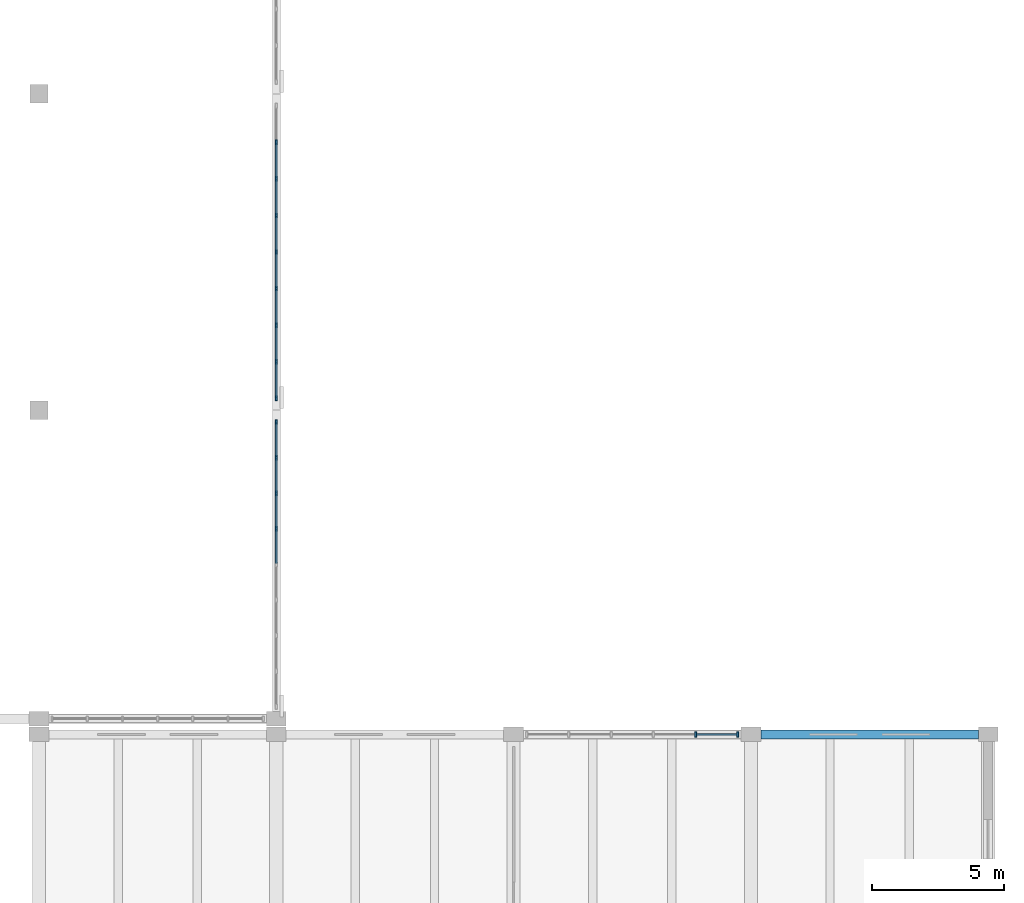
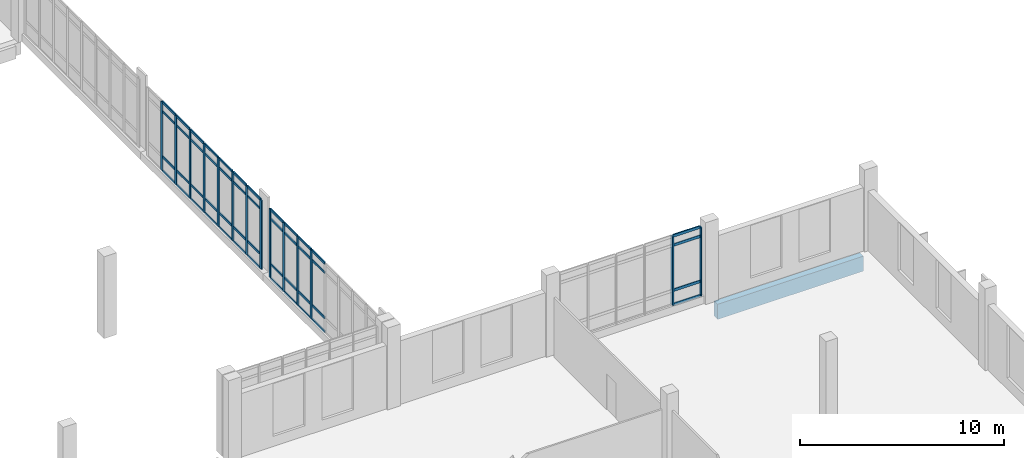
# One storey, part 47 of 110: 62 members, 1 beam, 3 elements without a shape of their own.
"""IFC4 building model written with IfcOpenShell, lengths in metres."""

from ifc_helpers import new_model, si_unit, direction, frame, origin, origin_2d, place, context, subcontext, project, spatial, rectangle, extrude, material, layer, layer_set, material_profile, profile_set, type_object, element, aggregate, save


model = new_model("IFC4")

# Units and contexts
model_context = context("Model", 3, precision=1e-05, world=origin(), true_north=direction((0.0, 1.0)))
body_context = subcontext(model_context, "Body", "Model", "MODEL_VIEW")
ifc_project = project(units=[si_unit("LENGTHUNIT", "METRE"), si_unit("AREAUNIT", "SQUARE_METRE"), si_unit("VOLUMEUNIT", "CUBIC_METRE"), si_unit("PLANEANGLEUNIT", "RADIAN"), si_unit("MASSUNIT", "GRAM", prefix="KILO")], contexts=[model_context])

# Site, building, storey
site_placement = place(None, origin())
site = spatial("IfcSite", under=ifc_project, at=site_placement, CompositionType="ELEMENT")
building_placement = place(site_placement, origin())
building = spatial("IfcBuilding", under=site, at=building_placement, Name="Zacnel Wholesale Market", CompositionType="ELEMENT")
storey_placement = place(building_placement, frame((0.0, 0.0, 6.300048828125)))
storey = spatial("IfcBuildingStorey", under=building, at=storey_placement, Name="L02", CompositionType="ELEMENT", Elevation=6.300048828125)

# Beam
ifc_material_1 = material(Name="Precast concrete C45/55", Category="concrete")
ifc_material_profile_1 = material_profile(ifc_material_1, rectangle(XDim=0.35009765625, YDim=0.89990234375, at=origin_2d()), Name="SP 350x900")
ifc_profile_set_1 = profile_set([ifc_material_profile_1], Name="Precast concrete C45/55")
beam_type = type_object("IfcBeamType", Name="BM-SP900", PredefinedType="SPANDREL", material=ifc_profile_set_1)
beam_placement = place(storey_placement, frame((207.375, 95.699951171875, -0.75), z_axis=(1.0, 0.0, 0.0), x_axis=(0.0, 1.0, 0.0)))
element("IfcBeam", 1, at=beam_placement, inside=storey, type_object=beam_type, Name="Precast girder X-0220", PredefinedType="SPANDREL", context=body_context, shape_type="SweptSolid", body=[
    extrude(rectangle(XDim=0.35009765625, YDim=0.89990234375, at=origin_2d()), origin(), (0.0, 0.0, 1.0), 8.25),
])

# Curtain wall, members
ifc_material_2 = material(Name="Anodised aluminium", Category="aluminium")
ifc_layer_1 = layer(ifc_material_2, 0.159912109375)
ifc_layer_set_1 = layer_set([ifc_layer_1], Name="Anodised aluminium")
curtain_wall_type_1 = type_object("IfcCurtainWallType", Name="CW-COURT-4500", PredefinedType="NOTDEFINED", material=ifc_layer_set_1)
curtain_wall_1_placement = place(storey_placement, origin())
curtain_wall_1 = element("IfcCurtainWall", 2, at=curtain_wall_1_placement, inside=storey, type_object=curtain_wall_type_1, Name="Curtain wall ENV-R2-CW-L02-046", PredefinedType="NOTDEFINED")
ifc_material_3 = material(Name="Anodised aluminium", Category="aluminium")
ifc_material_profile_2 = material_profile(ifc_material_3, rectangle(XDim=0.070068359375, YDim=0.199951171875, at=origin_2d()), Name="AW-MULLION 70x200")
ifc_profile_set_2 = profile_set([ifc_material_profile_2], Name="Anodised aluminium")
member_type_1 = type_object("IfcMemberType", Name="CWM-MUL-02", PredefinedType="MULLION", material=ifc_profile_set_2)
member_1_placement = place(storey_placement, frame((204.903076171875, 95.699951171875, 0.449951171875), z_axis=(0.0, 0.0, 1.0), x_axis=(1.0, 0.0, 0.0)))
member_1 = element("IfcMember", 3, at=member_1_placement, type_object=member_type_1, Name="ENV-R2-CW-L02-046 mullion 05", PredefinedType="MULLION", context=body_context, shape_type="SweptSolid", body=[
    extrude(rectangle(XDim=0.070068359375, YDim=0.199951171875, at=origin_2d()), origin(), (0.0, 0.0, 1.0), 4.10009765625),
])
member_2_placement = place(storey_placement, frame((206.5048828125, 95.699951171875, 0.449951171875), z_axis=(0.0, 0.0, 1.0), x_axis=(1.0, 0.0, 0.0)))
member_2 = element("IfcMember", 4, at=member_2_placement, type_object=member_type_1, Name="ENV-R2-CW-L02-046 mullion 06", PredefinedType="MULLION", context=body_context, shape_type="SweptSolid", body=[
    extrude(rectangle(XDim=0.070068359375, YDim=0.199951171875, at=origin_2d()), origin(), (0.0, 0.0, 1.0), 4.10009765625),
])

ifc_material_4 = material(Name="Anodised aluminium", Category="aluminium")
ifc_layer_2 = layer(ifc_material_4, 0.159912109375)
ifc_layer_set_2 = layer_set([ifc_layer_2], Name="Anodised aluminium")
curtain_wall_type_2 = type_object("IfcCurtainWallType", Name="CW-NAVE-4200", PredefinedType="NOTDEFINED", material=ifc_layer_set_2)
curtain_wall_2_placement = place(storey_placement, origin())
curtain_wall_2 = element("IfcCurtainWall", 5, at=curtain_wall_2_placement, inside=storey, type_object=curtain_wall_type_2, Name="Curtain wall ENV-R2-CW-L02-032", PredefinedType="NOTDEFINED")
ifc_material_5 = material(Name="Anodised aluminium", Category="aluminium")
ifc_material_profile_3 = material_profile(ifc_material_5, rectangle(XDim=0.06494140625, YDim=0.179931640625, at=origin_2d()), Name="AW-MULLION 65x180")
ifc_profile_set_3 = profile_set([ifc_material_profile_3], Name="Anodised aluminium")
member_type_2 = type_object("IfcMemberType", Name="CWM-MUL-03", PredefinedType="MULLION", material=ifc_profile_set_3)
member_3_placement = place(storey_placement, frame((189.0, 103.5, 0.449951171875), z_axis=(0.0, 0.0, 1.0), x_axis=(1.0, 0.0, 0.0)))
member_3 = element("IfcMember", 6, at=member_3_placement, type_object=member_type_2, Name="ENV-R2-CW-L02-032 mullion 06", PredefinedType="MULLION", context=body_context, shape_type="SweptSolid", body=[
    extrude(rectangle(XDim=0.06494140625, YDim=0.179931640625, at=origin_2d()), origin(), (0.0, 0.0, 1.0), 4.10009765625),
])
member_4_placement = place(storey_placement, frame((189.0, 104.85009765625, 0.449951171875), z_axis=(0.0, 0.0, 1.0), x_axis=(1.0, 0.0, 0.0)))
member_4 = element("IfcMember", 7, at=member_4_placement, type_object=member_type_2, Name="ENV-R2-CW-L02-032 mullion 07", PredefinedType="MULLION", context=body_context, shape_type="SweptSolid", body=[
    extrude(rectangle(XDim=0.06494140625, YDim=0.179931640625, at=origin_2d()), origin(), (0.0, 0.0, 1.0), 4.10009765625),
])
member_5_placement = place(storey_placement, frame((189.0, 106.199951171875, 0.449951171875), z_axis=(0.0, 0.0, 1.0), x_axis=(1.0, 0.0, 0.0)))
member_5 = element("IfcMember", 8, at=member_5_placement, type_object=member_type_2, Name="ENV-R2-CW-L02-032 mullion 08", PredefinedType="MULLION", context=body_context, shape_type="SweptSolid", body=[
    extrude(rectangle(XDim=0.06494140625, YDim=0.179931640625, at=origin_2d()), origin(), (0.0, 0.0, 1.0), 4.10009765625),
])
member_6_placement = place(storey_placement, frame((189.0, 107.550048828125, 0.449951171875), z_axis=(0.0, 0.0, 1.0), x_axis=(1.0, 0.0, 0.0)))
member_6 = element("IfcMember", 9, at=member_6_placement, type_object=member_type_2, Name="ENV-R2-CW-L02-032 mullion 09", PredefinedType="MULLION", context=body_context, shape_type="SweptSolid", body=[
    extrude(rectangle(XDim=0.06494140625, YDim=0.179931640625, at=origin_2d()), origin(), (0.0, 0.0, 1.0), 4.10009765625),
])

curtain_wall_3_placement = place(storey_placement, origin())
curtain_wall_3 = element("IfcCurtainWall", 10, at=curtain_wall_3_placement, inside=storey, type_object=curtain_wall_type_2, Name="Curtain wall ENV-R2-CW-L02-033", PredefinedType="NOTDEFINED")
member_7_placement = place(storey_placement, frame((189.0, 108.449951171875, 0.449951171875), z_axis=(0.0, 0.0, 1.0), x_axis=(1.0, 0.0, 0.0)))
member_7 = element("IfcMember", 11, at=member_7_placement, type_object=member_type_2, Name="ENV-R2-CW-L02-033 mullion 01", PredefinedType="MULLION", context=body_context, shape_type="SweptSolid", body=[
    extrude(rectangle(XDim=0.06494140625, YDim=0.179931640625, at=origin_2d()), origin(), (0.0, 0.0, 1.0), 4.10009765625),
])
member_8_placement = place(storey_placement, frame((189.0, 109.83740234375, 0.449951171875), z_axis=(0.0, 0.0, 1.0), x_axis=(1.0, 0.0, 0.0)))
member_8 = element("IfcMember", 12, at=member_8_placement, type_object=member_type_2, Name="ENV-R2-CW-L02-033 mullion 02", PredefinedType="MULLION", context=body_context, shape_type="SweptSolid", body=[
    extrude(rectangle(XDim=0.06494140625, YDim=0.179931640625, at=origin_2d()), origin(), (0.0, 0.0, 1.0), 4.10009765625),
])
member_9_placement = place(storey_placement, frame((189.0, 111.22509765625, 0.449951171875), z_axis=(0.0, 0.0, 1.0), x_axis=(1.0, 0.0, 0.0)))
member_9 = element("IfcMember", 13, at=member_9_placement, type_object=member_type_2, Name="ENV-R2-CW-L02-033 mullion 03", PredefinedType="MULLION", context=body_context, shape_type="SweptSolid", body=[
    extrude(rectangle(XDim=0.06494140625, YDim=0.179931640625, at=origin_2d()), origin(), (0.0, 0.0, 1.0), 4.10009765625),
])
member_10_placement = place(storey_placement, frame((189.0, 112.612548828125, 0.449951171875), z_axis=(0.0, 0.0, 1.0), x_axis=(1.0, 0.0, 0.0)))
member_10 = element("IfcMember", 14, at=member_10_placement, type_object=member_type_2, Name="ENV-R2-CW-L02-033 mullion 04", PredefinedType="MULLION", context=body_context, shape_type="SweptSolid", body=[
    extrude(rectangle(XDim=0.06494140625, YDim=0.179931640625, at=origin_2d()), origin(), (0.0, 0.0, 1.0), 4.10009765625),
])
member_11_placement = place(storey_placement, frame((189.0, 114.0, 0.449951171875), z_axis=(0.0, 0.0, 1.0), x_axis=(1.0, 0.0, 0.0)))
member_11 = element("IfcMember", 15, at=member_11_placement, type_object=member_type_2, Name="ENV-R2-CW-L02-033 mullion 05", PredefinedType="MULLION", context=body_context, shape_type="SweptSolid", body=[
    extrude(rectangle(XDim=0.06494140625, YDim=0.179931640625, at=origin_2d()), origin(), (0.0, 0.0, 1.0), 4.10009765625),
])
member_12_placement = place(storey_placement, frame((189.0, 115.387451171875, 0.449951171875), z_axis=(0.0, 0.0, 1.0), x_axis=(1.0, 0.0, 0.0)))
member_12 = element("IfcMember", 16, at=member_12_placement, type_object=member_type_2, Name="ENV-R2-CW-L02-033 mullion 06", PredefinedType="MULLION", context=body_context, shape_type="SweptSolid", body=[
    extrude(rectangle(XDim=0.06494140625, YDim=0.179931640625, at=origin_2d()), origin(), (0.0, 0.0, 1.0), 4.10009765625),
])
member_13_placement = place(storey_placement, frame((189.0, 116.77490234375, 0.449951171875), z_axis=(0.0, 0.0, 1.0), x_axis=(1.0, 0.0, 0.0)))
member_13 = element("IfcMember", 17, at=member_13_placement, type_object=member_type_2, Name="ENV-R2-CW-L02-033 mullion 07", PredefinedType="MULLION", context=body_context, shape_type="SweptSolid", body=[
    extrude(rectangle(XDim=0.06494140625, YDim=0.179931640625, at=origin_2d()), origin(), (0.0, 0.0, 1.0), 4.10009765625),
])
member_14_placement = place(storey_placement, frame((189.0, 118.16259765625, 0.449951171875), z_axis=(0.0, 0.0, 1.0), x_axis=(1.0, 0.0, 0.0)))
member_14 = element("IfcMember", 18, at=member_14_placement, type_object=member_type_2, Name="ENV-R2-CW-L02-033 mullion 08", PredefinedType="MULLION", context=body_context, shape_type="SweptSolid", body=[
    extrude(rectangle(XDim=0.06494140625, YDim=0.179931640625, at=origin_2d()), origin(), (0.0, 0.0, 1.0), 4.10009765625),
])

# Member
ifc_material_6 = material(Name="Anodised aluminium", Category="aluminium")
ifc_material_profile_4 = material_profile(ifc_material_6, rectangle(XDim=0.070068359375, YDim=0.159912109375, at=origin_2d()), Name="AW-TRANSOM 70x160")
ifc_profile_set_4 = profile_set([ifc_material_profile_4], Name="Anodised aluminium")
member_type_3 = type_object("IfcMemberType", Name="CWM-TRN-02", PredefinedType="USERDEFINED", material=ifc_profile_set_4)
member_15_placement = place(storey_placement, frame((204.93798828125, 95.699951171875, 0.449951171875), z_axis=(1.0, 0.0, 0.0), x_axis=(0.0, 1.0, 0.0)))
member_15 = element("IfcMember", 19, at=member_15_placement, type_object=member_type_3, Name="ENV-R2-CW-L02-046 transom 5-1", ObjectType="TRANSOM", PredefinedType="USERDEFINED", context=body_context, shape_type="SweptSolid", body=[
    extrude(rectangle(XDim=0.070068359375, YDim=0.159912109375, at=origin_2d()), origin(), (0.0, 0.0, 1.0), 1.531982421875),
])

member_16_placement = place(storey_placement, frame((204.93798828125, 95.699951171875, 1.300048828125), z_axis=(1.0, 0.0, 0.0), x_axis=(0.0, 1.0, 0.0)))
member_16 = element("IfcMember", 20, at=member_16_placement, type_object=member_type_3, Name="ENV-R2-CW-L02-046 transom 5-2", ObjectType="TRANSOM", PredefinedType="USERDEFINED", context=body_context, shape_type="SweptSolid", body=[
    extrude(rectangle(XDim=0.070068359375, YDim=0.159912109375, at=origin_2d()), origin(), (0.0, 0.0, 1.0), 1.531982421875),
])

member_17_placement = place(storey_placement, frame((204.93798828125, 95.699951171875, 4.0), z_axis=(1.0, 0.0, 0.0), x_axis=(0.0, 1.0, 0.0)))
member_17 = element("IfcMember", 21, at=member_17_placement, type_object=member_type_3, Name="ENV-R2-CW-L02-046 transom 5-3", ObjectType="TRANSOM", PredefinedType="USERDEFINED", context=body_context, shape_type="SweptSolid", body=[
    extrude(rectangle(XDim=0.070068359375, YDim=0.159912109375, at=origin_2d()), origin(), (0.0, 0.0, 1.0), 1.531982421875),
])

member_18_placement = place(storey_placement, frame((204.93798828125, 95.699951171875, 4.550048828125), z_axis=(1.0, 0.0, 0.0), x_axis=(0.0, 1.0, 0.0)))
member_18 = element("IfcMember", 22, at=member_18_placement, type_object=member_type_3, Name="ENV-R2-CW-L02-046 transom 5-4", ObjectType="TRANSOM", PredefinedType="USERDEFINED", context=body_context, shape_type="SweptSolid", body=[
    extrude(rectangle(XDim=0.070068359375, YDim=0.159912109375, at=origin_2d()), origin(), (0.0, 0.0, 1.0), 1.531982421875),
])

aggregate(curtain_wall_1, [member_1, member_2, member_15, member_16, member_17, member_18])

ifc_material_7 = material(Name="Anodised aluminium", Category="aluminium")
ifc_material_profile_5 = material_profile(ifc_material_7, rectangle(XDim=0.06494140625, YDim=0.139892578125, at=origin_2d()), Name="AW-TRANSOM 65x140")
ifc_profile_set_5 = profile_set([ifc_material_profile_5], Name="Anodised aluminium")
member_type_4 = type_object("IfcMemberType", Name="CWM-TRN-03", PredefinedType="USERDEFINED", material=ifc_profile_set_5)
member_19_placement = place(storey_placement, frame((189.0, 102.18505859375, 0.449951171875), z_axis=(0.0, 1.0, 0.0), x_axis=(-1.0, 0.0, 0.0)))
member_19 = element("IfcMember", 23, at=member_19_placement, type_object=member_type_4, Name="ENV-R2-CW-L02-032 transom 5-1", ObjectType="TRANSOM", PredefinedType="USERDEFINED", context=body_context, shape_type="SweptSolid", body=[
    extrude(rectangle(XDim=0.06494140625, YDim=0.139892578125, at=origin_2d()), origin(), (0.0, 0.0, 1.0), 1.280029296875),
])

member_20_placement = place(storey_placement, frame((189.0, 102.18505859375, 1.300048828125), z_axis=(0.0, 1.0, 0.0), x_axis=(-1.0, 0.0, 0.0)))
member_20 = element("IfcMember", 24, at=member_20_placement, type_object=member_type_4, Name="ENV-R2-CW-L02-032 transom 5-2", ObjectType="TRANSOM", PredefinedType="USERDEFINED", context=body_context, shape_type="SweptSolid", body=[
    extrude(rectangle(XDim=0.06494140625, YDim=0.139892578125, at=origin_2d()), origin(), (0.0, 0.0, 1.0), 1.280029296875),
])

member_21_placement = place(storey_placement, frame((189.0, 102.18505859375, 4.0), z_axis=(0.0, 1.0, 0.0), x_axis=(-1.0, 0.0, 0.0)))
member_21 = element("IfcMember", 25, at=member_21_placement, type_object=member_type_4, Name="ENV-R2-CW-L02-032 transom 5-3", ObjectType="TRANSOM", PredefinedType="USERDEFINED", context=body_context, shape_type="SweptSolid", body=[
    extrude(rectangle(XDim=0.06494140625, YDim=0.139892578125, at=origin_2d()), origin(), (0.0, 0.0, 1.0), 1.280029296875),
])

member_22_placement = place(storey_placement, frame((189.0, 102.18505859375, 4.550048828125), z_axis=(0.0, 1.0, 0.0), x_axis=(-1.0, 0.0, 0.0)))
member_22 = element("IfcMember", 26, at=member_22_placement, type_object=member_type_4, Name="ENV-R2-CW-L02-032 transom 5-4", ObjectType="TRANSOM", PredefinedType="USERDEFINED", context=body_context, shape_type="SweptSolid", body=[
    extrude(rectangle(XDim=0.06494140625, YDim=0.139892578125, at=origin_2d()), origin(), (0.0, 0.0, 1.0), 1.280029296875),
])

member_23_placement = place(storey_placement, frame((189.0, 103.534912109375, 0.449951171875), z_axis=(0.0, 1.0, 0.0), x_axis=(-1.0, 0.0, 0.0)))
member_23 = element("IfcMember", 27, at=member_23_placement, type_object=member_type_4, Name="ENV-R2-CW-L02-032 transom 6-1", ObjectType="TRANSOM", PredefinedType="USERDEFINED", context=body_context, shape_type="SweptSolid", body=[
    extrude(rectangle(XDim=0.06494140625, YDim=0.139892578125, at=origin_2d()), origin(), (0.0, 0.0, 1.0), 1.280029296875),
])

member_24_placement = place(storey_placement, frame((189.0, 103.534912109375, 1.300048828125), z_axis=(0.0, 1.0, 0.0), x_axis=(-1.0, 0.0, 0.0)))
member_24 = element("IfcMember", 28, at=member_24_placement, type_object=member_type_4, Name="ENV-R2-CW-L02-032 transom 6-2", ObjectType="TRANSOM", PredefinedType="USERDEFINED", context=body_context, shape_type="SweptSolid", body=[
    extrude(rectangle(XDim=0.06494140625, YDim=0.139892578125, at=origin_2d()), origin(), (0.0, 0.0, 1.0), 1.280029296875),
])

member_25_placement = place(storey_placement, frame((189.0, 103.534912109375, 4.0), z_axis=(0.0, 1.0, 0.0), x_axis=(-1.0, 0.0, 0.0)))
member_25 = element("IfcMember", 29, at=member_25_placement, type_object=member_type_4, Name="ENV-R2-CW-L02-032 transom 6-3", ObjectType="TRANSOM", PredefinedType="USERDEFINED", context=body_context, shape_type="SweptSolid", body=[
    extrude(rectangle(XDim=0.06494140625, YDim=0.139892578125, at=origin_2d()), origin(), (0.0, 0.0, 1.0), 1.280029296875),
])

member_26_placement = place(storey_placement, frame((189.0, 103.534912109375, 4.550048828125), z_axis=(0.0, 1.0, 0.0), x_axis=(-1.0, 0.0, 0.0)))
member_26 = element("IfcMember", 30, at=member_26_placement, type_object=member_type_4, Name="ENV-R2-CW-L02-032 transom 6-4", ObjectType="TRANSOM", PredefinedType="USERDEFINED", context=body_context, shape_type="SweptSolid", body=[
    extrude(rectangle(XDim=0.06494140625, YDim=0.139892578125, at=origin_2d()), origin(), (0.0, 0.0, 1.0), 1.280029296875),
])

member_27_placement = place(storey_placement, frame((189.0, 104.885009765625, 0.449951171875), z_axis=(0.0, 1.0, 0.0), x_axis=(-1.0, 0.0, 0.0)))
member_27 = element("IfcMember", 31, at=member_27_placement, type_object=member_type_4, Name="ENV-R2-CW-L02-032 transom 7-1", ObjectType="TRANSOM", PredefinedType="USERDEFINED", context=body_context, shape_type="SweptSolid", body=[
    extrude(rectangle(XDim=0.06494140625, YDim=0.139892578125, at=origin_2d()), origin(), (0.0, 0.0, 1.0), 1.280029296875),
])

member_28_placement = place(storey_placement, frame((189.0, 104.885009765625, 1.300048828125), z_axis=(0.0, 1.0, 0.0), x_axis=(-1.0, 0.0, 0.0)))
member_28 = element("IfcMember", 32, at=member_28_placement, type_object=member_type_4, Name="ENV-R2-CW-L02-032 transom 7-2", ObjectType="TRANSOM", PredefinedType="USERDEFINED", context=body_context, shape_type="SweptSolid", body=[
    extrude(rectangle(XDim=0.06494140625, YDim=0.139892578125, at=origin_2d()), origin(), (0.0, 0.0, 1.0), 1.280029296875),
])

member_29_placement = place(storey_placement, frame((189.0, 104.885009765625, 4.0), z_axis=(0.0, 1.0, 0.0), x_axis=(-1.0, 0.0, 0.0)))
member_29 = element("IfcMember", 33, at=member_29_placement, type_object=member_type_4, Name="ENV-R2-CW-L02-032 transom 7-3", ObjectType="TRANSOM", PredefinedType="USERDEFINED", context=body_context, shape_type="SweptSolid", body=[
    extrude(rectangle(XDim=0.06494140625, YDim=0.139892578125, at=origin_2d()), origin(), (0.0, 0.0, 1.0), 1.280029296875),
])

member_30_placement = place(storey_placement, frame((189.0, 104.885009765625, 4.550048828125), z_axis=(0.0, 1.0, 0.0), x_axis=(-1.0, 0.0, 0.0)))
member_30 = element("IfcMember", 34, at=member_30_placement, type_object=member_type_4, Name="ENV-R2-CW-L02-032 transom 7-4", ObjectType="TRANSOM", PredefinedType="USERDEFINED", context=body_context, shape_type="SweptSolid", body=[
    extrude(rectangle(XDim=0.06494140625, YDim=0.139892578125, at=origin_2d()), origin(), (0.0, 0.0, 1.0), 1.280029296875),
])

member_31_placement = place(storey_placement, frame((189.0, 106.235107421875, 0.449951171875), z_axis=(0.0, 1.0, 0.0), x_axis=(-1.0, 0.0, 0.0)))
member_31 = element("IfcMember", 35, at=member_31_placement, type_object=member_type_4, Name="ENV-R2-CW-L02-032 transom 8-1", ObjectType="TRANSOM", PredefinedType="USERDEFINED", context=body_context, shape_type="SweptSolid", body=[
    extrude(rectangle(XDim=0.06494140625, YDim=0.139892578125, at=origin_2d()), origin(), (0.0, 0.0, 1.0), 1.27978515625),
])

member_32_placement = place(storey_placement, frame((189.0, 106.235107421875, 1.300048828125), z_axis=(0.0, 1.0, 0.0), x_axis=(-1.0, 0.0, 0.0)))
member_32 = element("IfcMember", 36, at=member_32_placement, type_object=member_type_4, Name="ENV-R2-CW-L02-032 transom 8-2", ObjectType="TRANSOM", PredefinedType="USERDEFINED", context=body_context, shape_type="SweptSolid", body=[
    extrude(rectangle(XDim=0.06494140625, YDim=0.139892578125, at=origin_2d()), origin(), (0.0, 0.0, 1.0), 1.27978515625),
])

member_33_placement = place(storey_placement, frame((189.0, 106.235107421875, 4.0), z_axis=(0.0, 1.0, 0.0), x_axis=(-1.0, 0.0, 0.0)))
member_33 = element("IfcMember", 37, at=member_33_placement, type_object=member_type_4, Name="ENV-R2-CW-L02-032 transom 8-3", ObjectType="TRANSOM", PredefinedType="USERDEFINED", context=body_context, shape_type="SweptSolid", body=[
    extrude(rectangle(XDim=0.06494140625, YDim=0.139892578125, at=origin_2d()), origin(), (0.0, 0.0, 1.0), 1.27978515625),
])

member_34_placement = place(storey_placement, frame((189.0, 106.235107421875, 4.550048828125), z_axis=(0.0, 1.0, 0.0), x_axis=(-1.0, 0.0, 0.0)))
member_34 = element("IfcMember", 38, at=member_34_placement, type_object=member_type_4, Name="ENV-R2-CW-L02-032 transom 8-4", ObjectType="TRANSOM", PredefinedType="USERDEFINED", context=body_context, shape_type="SweptSolid", body=[
    extrude(rectangle(XDim=0.06494140625, YDim=0.139892578125, at=origin_2d()), origin(), (0.0, 0.0, 1.0), 1.27978515625),
])

aggregate(curtain_wall_2, [member_3, member_4, member_5, member_6, member_19, member_20, member_21, member_22, member_23, member_24, member_25, member_26, member_27, member_28, member_29, member_30, member_31, member_32, member_33, member_34])

member_35_placement = place(storey_placement, frame((189.0, 108.485107421875, 0.449951171875), z_axis=(0.0, 1.0, 0.0), x_axis=(-1.0, 0.0, 0.0)))
member_35 = element("IfcMember", 39, at=member_35_placement, type_object=member_type_4, Name="ENV-R2-CW-L02-033 transom 1-1", ObjectType="TRANSOM", PredefinedType="USERDEFINED", context=body_context, shape_type="SweptSolid", body=[
    extrude(rectangle(XDim=0.06494140625, YDim=0.139892578125, at=origin_2d()), origin(), (0.0, 0.0, 1.0), 1.3173828125),
])

member_36_placement = place(storey_placement, frame((189.0, 108.485107421875, 1.300048828125), z_axis=(0.0, 1.0, 0.0), x_axis=(-1.0, 0.0, 0.0)))
member_36 = element("IfcMember", 40, at=member_36_placement, type_object=member_type_4, Name="ENV-R2-CW-L02-033 transom 1-2", ObjectType="TRANSOM", PredefinedType="USERDEFINED", context=body_context, shape_type="SweptSolid", body=[
    extrude(rectangle(XDim=0.06494140625, YDim=0.139892578125, at=origin_2d()), origin(), (0.0, 0.0, 1.0), 1.3173828125),
])

member_37_placement = place(storey_placement, frame((189.0, 108.485107421875, 4.0), z_axis=(0.0, 1.0, 0.0), x_axis=(-1.0, 0.0, 0.0)))
member_37 = element("IfcMember", 41, at=member_37_placement, type_object=member_type_4, Name="ENV-R2-CW-L02-033 transom 1-3", ObjectType="TRANSOM", PredefinedType="USERDEFINED", context=body_context, shape_type="SweptSolid", body=[
    extrude(rectangle(XDim=0.06494140625, YDim=0.139892578125, at=origin_2d()), origin(), (0.0, 0.0, 1.0), 1.3173828125),
])

member_38_placement = place(storey_placement, frame((189.0, 108.485107421875, 4.550048828125), z_axis=(0.0, 1.0, 0.0), x_axis=(-1.0, 0.0, 0.0)))
member_38 = element("IfcMember", 42, at=member_38_placement, type_object=member_type_4, Name="ENV-R2-CW-L02-033 transom 1-4", ObjectType="TRANSOM", PredefinedType="USERDEFINED", context=body_context, shape_type="SweptSolid", body=[
    extrude(rectangle(XDim=0.06494140625, YDim=0.139892578125, at=origin_2d()), origin(), (0.0, 0.0, 1.0), 1.3173828125),
])

member_39_placement = place(storey_placement, frame((189.0, 109.87255859375, 0.449951171875), z_axis=(0.0, 1.0, 0.0), x_axis=(-1.0, 0.0, 0.0)))
member_39 = element("IfcMember", 43, at=member_39_placement, type_object=member_type_4, Name="ENV-R2-CW-L02-033 transom 2-1", ObjectType="TRANSOM", PredefinedType="USERDEFINED", context=body_context, shape_type="SweptSolid", body=[
    extrude(rectangle(XDim=0.06494140625, YDim=0.139892578125, at=origin_2d()), origin(), (0.0, 0.0, 1.0), 1.3173828125),
])

member_40_placement = place(storey_placement, frame((189.0, 109.87255859375, 1.300048828125), z_axis=(0.0, 1.0, 0.0), x_axis=(-1.0, 0.0, 0.0)))
member_40 = element("IfcMember", 44, at=member_40_placement, type_object=member_type_4, Name="ENV-R2-CW-L02-033 transom 2-2", ObjectType="TRANSOM", PredefinedType="USERDEFINED", context=body_context, shape_type="SweptSolid", body=[
    extrude(rectangle(XDim=0.06494140625, YDim=0.139892578125, at=origin_2d()), origin(), (0.0, 0.0, 1.0), 1.3173828125),
])

member_41_placement = place(storey_placement, frame((189.0, 109.87255859375, 4.0), z_axis=(0.0, 1.0, 0.0), x_axis=(-1.0, 0.0, 0.0)))
member_41 = element("IfcMember", 45, at=member_41_placement, type_object=member_type_4, Name="ENV-R2-CW-L02-033 transom 2-3", ObjectType="TRANSOM", PredefinedType="USERDEFINED", context=body_context, shape_type="SweptSolid", body=[
    extrude(rectangle(XDim=0.06494140625, YDim=0.139892578125, at=origin_2d()), origin(), (0.0, 0.0, 1.0), 1.3173828125),
])

member_42_placement = place(storey_placement, frame((189.0, 109.87255859375, 4.550048828125), z_axis=(0.0, 1.0, 0.0), x_axis=(-1.0, 0.0, 0.0)))
member_42 = element("IfcMember", 46, at=member_42_placement, type_object=member_type_4, Name="ENV-R2-CW-L02-033 transom 2-4", ObjectType="TRANSOM", PredefinedType="USERDEFINED", context=body_context, shape_type="SweptSolid", body=[
    extrude(rectangle(XDim=0.06494140625, YDim=0.139892578125, at=origin_2d()), origin(), (0.0, 0.0, 1.0), 1.3173828125),
])

member_43_placement = place(storey_placement, frame((189.0, 111.260009765625, 0.449951171875), z_axis=(0.0, 1.0, 0.0), x_axis=(-1.0, 0.0, 0.0)))
member_43 = element("IfcMember", 47, at=member_43_placement, type_object=member_type_4, Name="ENV-R2-CW-L02-033 transom 3-1", ObjectType="TRANSOM", PredefinedType="USERDEFINED", context=body_context, shape_type="SweptSolid", body=[
    extrude(rectangle(XDim=0.06494140625, YDim=0.139892578125, at=origin_2d()), origin(), (0.0, 0.0, 1.0), 1.3173828125),
])

member_44_placement = place(storey_placement, frame((189.0, 111.260009765625, 1.300048828125), z_axis=(0.0, 1.0, 0.0), x_axis=(-1.0, 0.0, 0.0)))
member_44 = element("IfcMember", 48, at=member_44_placement, type_object=member_type_4, Name="ENV-R2-CW-L02-033 transom 3-2", ObjectType="TRANSOM", PredefinedType="USERDEFINED", context=body_context, shape_type="SweptSolid", body=[
    extrude(rectangle(XDim=0.06494140625, YDim=0.139892578125, at=origin_2d()), origin(), (0.0, 0.0, 1.0), 1.3173828125),
])

member_45_placement = place(storey_placement, frame((189.0, 111.260009765625, 4.0), z_axis=(0.0, 1.0, 0.0), x_axis=(-1.0, 0.0, 0.0)))
member_45 = element("IfcMember", 49, at=member_45_placement, type_object=member_type_4, Name="ENV-R2-CW-L02-033 transom 3-3", ObjectType="TRANSOM", PredefinedType="USERDEFINED", context=body_context, shape_type="SweptSolid", body=[
    extrude(rectangle(XDim=0.06494140625, YDim=0.139892578125, at=origin_2d()), origin(), (0.0, 0.0, 1.0), 1.3173828125),
])

member_46_placement = place(storey_placement, frame((189.0, 111.260009765625, 4.550048828125), z_axis=(0.0, 1.0, 0.0), x_axis=(-1.0, 0.0, 0.0)))
member_46 = element("IfcMember", 50, at=member_46_placement, type_object=member_type_4, Name="ENV-R2-CW-L02-033 transom 3-4", ObjectType="TRANSOM", PredefinedType="USERDEFINED", context=body_context, shape_type="SweptSolid", body=[
    extrude(rectangle(XDim=0.06494140625, YDim=0.139892578125, at=origin_2d()), origin(), (0.0, 0.0, 1.0), 1.3173828125),
])

member_47_placement = place(storey_placement, frame((189.0, 112.6474609375, 0.449951171875), z_axis=(0.0, 1.0, 0.0), x_axis=(-1.0, 0.0, 0.0)))
member_47 = element("IfcMember", 51, at=member_47_placement, type_object=member_type_4, Name="ENV-R2-CW-L02-033 transom 4-1", ObjectType="TRANSOM", PredefinedType="USERDEFINED", context=body_context, shape_type="SweptSolid", body=[
    extrude(rectangle(XDim=0.06494140625, YDim=0.139892578125, at=origin_2d()), origin(), (0.0, 0.0, 1.0), 1.317626953125),
])

member_48_placement = place(storey_placement, frame((189.0, 112.6474609375, 1.300048828125), z_axis=(0.0, 1.0, 0.0), x_axis=(-1.0, 0.0, 0.0)))
member_48 = element("IfcMember", 52, at=member_48_placement, type_object=member_type_4, Name="ENV-R2-CW-L02-033 transom 4-2", ObjectType="TRANSOM", PredefinedType="USERDEFINED", context=body_context, shape_type="SweptSolid", body=[
    extrude(rectangle(XDim=0.06494140625, YDim=0.139892578125, at=origin_2d()), origin(), (0.0, 0.0, 1.0), 1.317626953125),
])

member_49_placement = place(storey_placement, frame((189.0, 112.6474609375, 4.0), z_axis=(0.0, 1.0, 0.0), x_axis=(-1.0, 0.0, 0.0)))
member_49 = element("IfcMember", 53, at=member_49_placement, type_object=member_type_4, Name="ENV-R2-CW-L02-033 transom 4-3", ObjectType="TRANSOM", PredefinedType="USERDEFINED", context=body_context, shape_type="SweptSolid", body=[
    extrude(rectangle(XDim=0.06494140625, YDim=0.139892578125, at=origin_2d()), origin(), (0.0, 0.0, 1.0), 1.317626953125),
])

member_50_placement = place(storey_placement, frame((189.0, 112.6474609375, 4.550048828125), z_axis=(0.0, 1.0, 0.0), x_axis=(-1.0, 0.0, 0.0)))
member_50 = element("IfcMember", 54, at=member_50_placement, type_object=member_type_4, Name="ENV-R2-CW-L02-033 transom 4-4", ObjectType="TRANSOM", PredefinedType="USERDEFINED", context=body_context, shape_type="SweptSolid", body=[
    extrude(rectangle(XDim=0.06494140625, YDim=0.139892578125, at=origin_2d()), origin(), (0.0, 0.0, 1.0), 1.317626953125),
])

member_51_placement = place(storey_placement, frame((189.0, 114.034912109375, 0.449951171875), z_axis=(0.0, 1.0, 0.0), x_axis=(-1.0, 0.0, 0.0)))
member_51 = element("IfcMember", 55, at=member_51_placement, type_object=member_type_4, Name="ENV-R2-CW-L02-033 transom 5-1", ObjectType="TRANSOM", PredefinedType="USERDEFINED", context=body_context, shape_type="SweptSolid", body=[
    extrude(rectangle(XDim=0.06494140625, YDim=0.139892578125, at=origin_2d()), origin(), (0.0, 0.0, 1.0), 1.317626953125),
])

member_52_placement = place(storey_placement, frame((189.0, 114.034912109375, 1.300048828125), z_axis=(0.0, 1.0, 0.0), x_axis=(-1.0, 0.0, 0.0)))
member_52 = element("IfcMember", 56, at=member_52_placement, type_object=member_type_4, Name="ENV-R2-CW-L02-033 transom 5-2", ObjectType="TRANSOM", PredefinedType="USERDEFINED", context=body_context, shape_type="SweptSolid", body=[
    extrude(rectangle(XDim=0.06494140625, YDim=0.139892578125, at=origin_2d()), origin(), (0.0, 0.0, 1.0), 1.317626953125),
])

member_53_placement = place(storey_placement, frame((189.0, 114.034912109375, 4.0), z_axis=(0.0, 1.0, 0.0), x_axis=(-1.0, 0.0, 0.0)))
member_53 = element("IfcMember", 57, at=member_53_placement, type_object=member_type_4, Name="ENV-R2-CW-L02-033 transom 5-3", ObjectType="TRANSOM", PredefinedType="USERDEFINED", context=body_context, shape_type="SweptSolid", body=[
    extrude(rectangle(XDim=0.06494140625, YDim=0.139892578125, at=origin_2d()), origin(), (0.0, 0.0, 1.0), 1.317626953125),
])

member_54_placement = place(storey_placement, frame((189.0, 114.034912109375, 4.550048828125), z_axis=(0.0, 1.0, 0.0), x_axis=(-1.0, 0.0, 0.0)))
member_54 = element("IfcMember", 58, at=member_54_placement, type_object=member_type_4, Name="ENV-R2-CW-L02-033 transom 5-4", ObjectType="TRANSOM", PredefinedType="USERDEFINED", context=body_context, shape_type="SweptSolid", body=[
    extrude(rectangle(XDim=0.06494140625, YDim=0.139892578125, at=origin_2d()), origin(), (0.0, 0.0, 1.0), 1.317626953125),
])

member_55_placement = place(storey_placement, frame((189.0, 115.422607421875, 0.449951171875), z_axis=(0.0, 1.0, 0.0), x_axis=(-1.0, 0.0, 0.0)))
member_55 = element("IfcMember", 59, at=member_55_placement, type_object=member_type_4, Name="ENV-R2-CW-L02-033 transom 6-1", ObjectType="TRANSOM", PredefinedType="USERDEFINED", context=body_context, shape_type="SweptSolid", body=[
    extrude(rectangle(XDim=0.06494140625, YDim=0.139892578125, at=origin_2d()), origin(), (0.0, 0.0, 1.0), 1.3173828125),
])

member_56_placement = place(storey_placement, frame((189.0, 115.422607421875, 1.300048828125), z_axis=(0.0, 1.0, 0.0), x_axis=(-1.0, 0.0, 0.0)))
member_56 = element("IfcMember", 60, at=member_56_placement, type_object=member_type_4, Name="ENV-R2-CW-L02-033 transom 6-2", ObjectType="TRANSOM", PredefinedType="USERDEFINED", context=body_context, shape_type="SweptSolid", body=[
    extrude(rectangle(XDim=0.06494140625, YDim=0.139892578125, at=origin_2d()), origin(), (0.0, 0.0, 1.0), 1.3173828125),
])

member_57_placement = place(storey_placement, frame((189.0, 115.422607421875, 4.0), z_axis=(0.0, 1.0, 0.0), x_axis=(-1.0, 0.0, 0.0)))
member_57 = element("IfcMember", 61, at=member_57_placement, type_object=member_type_4, Name="ENV-R2-CW-L02-033 transom 6-3", ObjectType="TRANSOM", PredefinedType="USERDEFINED", context=body_context, shape_type="SweptSolid", body=[
    extrude(rectangle(XDim=0.06494140625, YDim=0.139892578125, at=origin_2d()), origin(), (0.0, 0.0, 1.0), 1.3173828125),
])

member_58_placement = place(storey_placement, frame((189.0, 115.422607421875, 4.550048828125), z_axis=(0.0, 1.0, 0.0), x_axis=(-1.0, 0.0, 0.0)))
member_58 = element("IfcMember", 62, at=member_58_placement, type_object=member_type_4, Name="ENV-R2-CW-L02-033 transom 6-4", ObjectType="TRANSOM", PredefinedType="USERDEFINED", context=body_context, shape_type="SweptSolid", body=[
    extrude(rectangle(XDim=0.06494140625, YDim=0.139892578125, at=origin_2d()), origin(), (0.0, 0.0, 1.0), 1.3173828125),
])

member_59_placement = place(storey_placement, frame((189.0, 116.81005859375, 0.449951171875), z_axis=(0.0, 1.0, 0.0), x_axis=(-1.0, 0.0, 0.0)))
member_59 = element("IfcMember", 63, at=member_59_placement, type_object=member_type_4, Name="ENV-R2-CW-L02-033 transom 7-1", ObjectType="TRANSOM", PredefinedType="USERDEFINED", context=body_context, shape_type="SweptSolid", body=[
    extrude(rectangle(XDim=0.06494140625, YDim=0.139892578125, at=origin_2d()), origin(), (0.0, 0.0, 1.0), 1.3173828125),
])

member_60_placement = place(storey_placement, frame((189.0, 116.81005859375, 1.300048828125), z_axis=(0.0, 1.0, 0.0), x_axis=(-1.0, 0.0, 0.0)))
member_60 = element("IfcMember", 64, at=member_60_placement, type_object=member_type_4, Name="ENV-R2-CW-L02-033 transom 7-2", ObjectType="TRANSOM", PredefinedType="USERDEFINED", context=body_context, shape_type="SweptSolid", body=[
    extrude(rectangle(XDim=0.06494140625, YDim=0.139892578125, at=origin_2d()), origin(), (0.0, 0.0, 1.0), 1.3173828125),
])

member_61_placement = place(storey_placement, frame((189.0, 116.81005859375, 4.0), z_axis=(0.0, 1.0, 0.0), x_axis=(-1.0, 0.0, 0.0)))
member_61 = element("IfcMember", 65, at=member_61_placement, type_object=member_type_4, Name="ENV-R2-CW-L02-033 transom 7-3", ObjectType="TRANSOM", PredefinedType="USERDEFINED", context=body_context, shape_type="SweptSolid", body=[
    extrude(rectangle(XDim=0.06494140625, YDim=0.139892578125, at=origin_2d()), origin(), (0.0, 0.0, 1.0), 1.3173828125),
])

member_62_placement = place(storey_placement, frame((189.0, 116.81005859375, 4.550048828125), z_axis=(0.0, 1.0, 0.0), x_axis=(-1.0, 0.0, 0.0)))
member_62 = element("IfcMember", 66, at=member_62_placement, type_object=member_type_4, Name="ENV-R2-CW-L02-033 transom 7-4", ObjectType="TRANSOM", PredefinedType="USERDEFINED", context=body_context, shape_type="SweptSolid", body=[
    extrude(rectangle(XDim=0.06494140625, YDim=0.139892578125, at=origin_2d()), origin(), (0.0, 0.0, 1.0), 1.3173828125),
])

aggregate(curtain_wall_3, [member_7, member_8, member_9, member_10, member_11, member_12, member_13, member_14, member_35, member_36, member_37, member_38, member_39, member_40, member_41, member_42, member_43, member_44, member_45, member_46, member_47, member_48, member_49, member_50, member_51, member_52, member_53, member_54, member_55, member_56, member_57, member_58, member_59, member_60, member_61, member_62])

save(model, "model.ifc")
